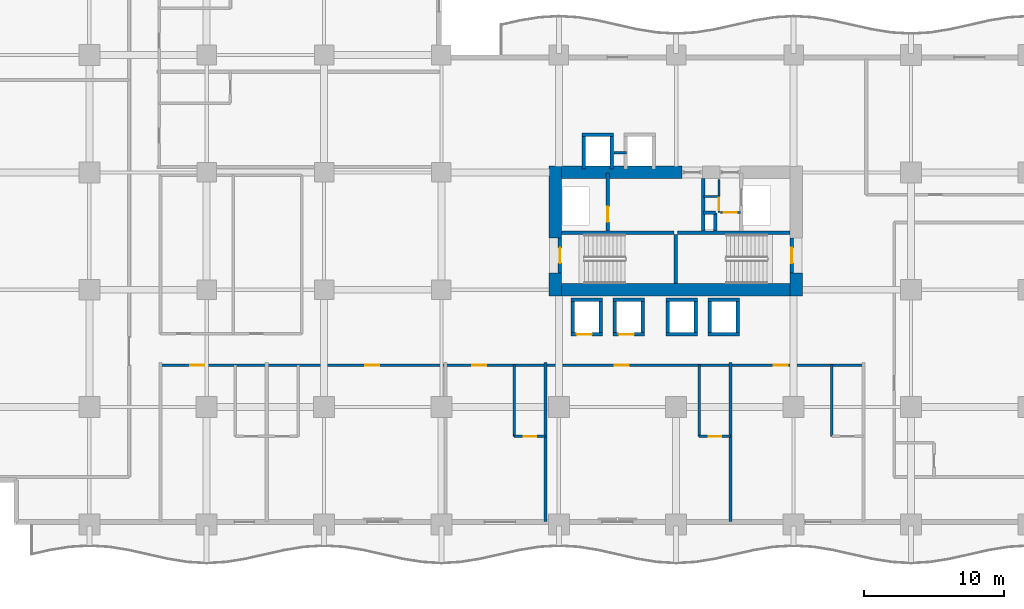
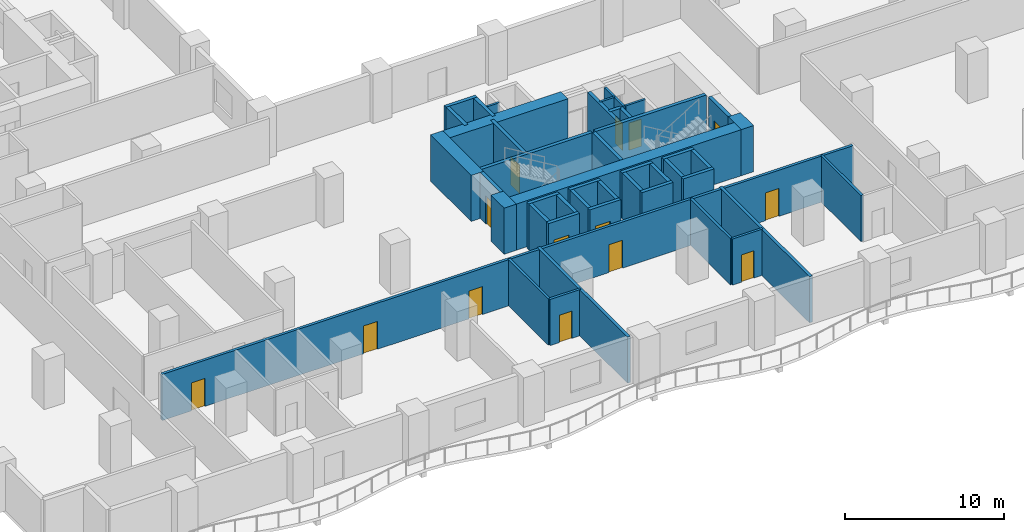
# One storey, part 9 of 22: 45 walls, 14 doors, 14 openings.
"""IFC4 building model written with IfcOpenShell, lengths in metres."""

from ifc_helpers import new_model, si_unit, direction, frame, frame_2d, origin, place, context, subcontext, project, spatial, rectangle, extrude, material, layer, layer_set, type_object, element, fill, save


model = new_model("IFC4")

# Units and contexts
model_context = context("Model", 3, precision=1e-05, world=origin(), true_north=direction((0.0, 1.0)))
body_context = subcontext(model_context, "Body", "Model", "MODEL_VIEW")
ifc_project = project(units=[si_unit("LENGTHUNIT", "METRE"), si_unit("AREAUNIT", "SQUARE_METRE"), si_unit("VOLUMEUNIT", "CUBIC_METRE"), si_unit("PLANEANGLEUNIT", "RADIAN"), si_unit("MASSUNIT", "GRAM", prefix="KILO")], contexts=[model_context])

# Site, building, storey
site_placement = place(None, origin())
site = spatial("IfcSite", under=ifc_project, at=site_placement, CompositionType="ELEMENT")
building_placement = place(site_placement, origin())
building = spatial("IfcBuilding", under=site, at=building_placement, Name="Koriwani Terraces Tower", CompositionType="ELEMENT")
storey_placement = place(building_placement, frame((0.0, 0.0, 62.39990234375)))
storey = spatial("IfcBuildingStorey", under=building, at=storey_placement, Name="L14", CompositionType="ELEMENT", Elevation=62.39990234375)

# Walls
ifc_material_1 = material(Name="Concrete C60/75", Category="concrete")
ifc_layer_1 = layer(ifc_material_1, 0.89990234375, Name="Concrete C60/75")
ifc_layer_set_1 = layer_set([ifc_layer_1], Name="Concrete C60/75")
wall_type_1 = type_object("IfcWallType", Name="WALL_CORE_RC_900", PredefinedType="SHEAR", material=ifc_layer_set_1)
wall_1_placement = place(storey_placement, frame((41.75, 16.35009765625, 0.0), z_axis=(0.0, 0.0, 1.0), x_axis=(0.0, 1.0, 0.0)))
element("IfcWall", 1, at=wall_1_placement, inside=storey, type_object=wall_type_1, Name="L14 East Split Core Shear Wall W1", PredefinedType="SHEAR", context=body_context, shape_type="SweptSolid", body=[
    extrude(rectangle(XDim=1.64990234375, YDim=0.89990234375, at=frame_2d((0.824951171875, 0.0))), origin(), (0.0, 0.0, 1.0), 3.550048828125),
])
wall_2_placement = place(storey_placement, frame((41.75, 20.5, 0.0), z_axis=(0.0, 0.0, 1.0), x_axis=(0.0, 1.0, 0.0)))
element("IfcWall", 2, at=wall_2_placement, inside=storey, type_object=wall_type_1, Name="L14 East Split Core Shear Wall W2", PredefinedType="SHEAR", context=body_context, shape_type="SweptSolid", body=[
    extrude(rectangle(XDim=5.14990234375, YDim=0.89990234375, at=frame_2d((2.574951171875, 0.0))), origin(), (0.0, 0.0, 1.0), 3.550048828125),
])
wall_3_placement = place(storey_placement, frame((59.0, 16.35009765625, 0.0), z_axis=(0.0, 0.0, 1.0), x_axis=(0.0, 1.0, 0.0)))
element("IfcWall", 3, at=wall_3_placement, inside=storey, type_object=wall_type_1, Name="L14 East Split Core Shear Wall E1", PredefinedType="SHEAR", context=body_context, shape_type="SweptSolid", body=[
    extrude(rectangle(XDim=1.64990234375, YDim=0.89990234375, at=frame_2d((0.824951171875, 0.0))), origin(), (0.0, 0.0, 1.0), 3.550048828125),
])
wall_4_placement = place(storey_placement, frame((42.199951171875, 16.800048828125, 0.0), z_axis=(0.0, 0.0, 1.0), x_axis=(1.0, 0.0, 0.0)))
element("IfcWall", 4, at=wall_4_placement, inside=storey, type_object=wall_type_1, Name="L14 East Split Core Shear Wall S1", PredefinedType="SHEAR", context=body_context, shape_type="SweptSolid", body=[
    extrude(rectangle(XDim=16.35009765625, YDim=0.89990234375, at=frame_2d((8.175048828125, 0.0))), origin(), (0.0, 0.0, 1.0), 3.550048828125),
])
wall_5_placement = place(storey_placement, frame((42.199951171875, 25.199951171875, 0.0), z_axis=(0.0, 0.0, 1.0), x_axis=(1.0, 0.0, 0.0)))
element("IfcWall", 5, at=wall_5_placement, inside=storey, type_object=wall_type_1, Name="L14 East Split Core Shear Wall N1", PredefinedType="SHEAR", context=body_context, shape_type="SweptSolid", body=[
    extrude(rectangle(XDim=8.60009765625, YDim=0.89990234375, at=frame_2d((4.300048828125, 0.0))), origin(), (0.0, 0.0, 1.0), 3.550048828125),
])

# Wall, openings, doors
ifc_material_2 = material(Name="Autoclaved Cellular Concrete Blockwork", Category="masonry")
ifc_layer_2 = layer(ifc_material_2, 0.199951171875, Name="Autoclaved Cellular Concrete Blockwork")
ifc_layer_set_2 = layer_set([ifc_layer_2], Name="Autoclaved Cellular Concrete Blockwork")
wall_type_2 = type_object("IfcWallType", Name="WALL_CORRIDOR_200", PredefinedType="PARTITIONING", material=ifc_layer_set_2)
wall_6_placement = place(storey_placement, frame((13.5, 11.39990234375, 0.0), z_axis=(0.0, 0.0, 1.0), x_axis=(1.0, 0.0, 0.0)))
wall_6 = element("IfcWall", 6, at=wall_6_placement, inside=storey, type_object=wall_type_2, Name="L14 Interior Wall WCOR-L14-SW-0", PredefinedType="PARTITIONING", context=body_context, shape_type="SweptSolid", body=[
    extrude(rectangle(XDim=50.300048828125, YDim=0.199951171875, at=frame_2d((25.14990234375, 0.0))), origin(), (0.0, 0.0, 1.0), 3.550048828125),
])
opening_1_placement = place(wall_6_placement, frame((2.135009765625, 0.0, 0.0)))
opening_1 = element("IfcOpeningElement", 7, at=opening_1_placement, cuts=wall_6, Name="Opening D-05", PredefinedType="OPENING", context=body_context, shape_type="SweptSolid", body=[
    extrude(rectangle(XDim=1.0, YDim=2.14990234375, at=frame_2d((0.5, 1.074951171875))), frame((0.0, 0.10986328125, 0.0), z_axis=(0.0, -1.0, 0.0), x_axis=(1.0, 0.0, 0.0)), (0.0, 0.0, 1.0), 0.219970703125),
])
opening_2_placement = place(wall_6_placement, frame((14.6650390625, 0.0, 0.0)))
opening_2 = element("IfcOpeningElement", 8, at=opening_2_placement, cuts=wall_6, Name="Opening D-05", PredefinedType="OPENING", context=body_context, shape_type="SweptSolid", body=[
    extrude(rectangle(XDim=1.0, YDim=2.14990234375, at=frame_2d((0.5, 1.074951171875))), frame((0.0, 0.10986328125, 0.0), z_axis=(0.0, -1.0, 0.0), x_axis=(1.0, 0.0, 0.0)), (0.0, 0.0, 1.0), 0.219970703125),
])
opening_3_placement = place(wall_6_placement, frame((22.31005859375, 0.0, 0.0)))
opening_3 = element("IfcOpeningElement", 9, at=opening_3_placement, cuts=wall_6, Name="Opening D-05", PredefinedType="OPENING", context=body_context, shape_type="SweptSolid", body=[
    extrude(rectangle(XDim=1.0, YDim=2.14990234375, at=frame_2d((0.5, 1.074951171875))), frame((0.0, 0.10986328125, 0.0), z_axis=(0.0, -1.0, 0.0), x_axis=(1.0, 0.0, 0.0)), (0.0, 0.0, 1.0), 0.219970703125),
])
opening_4_placement = place(wall_6_placement, frame((32.510009765625, 0.0, 0.0)))
opening_4 = element("IfcOpeningElement", 10, at=opening_4_placement, cuts=wall_6, Name="Opening D-05", PredefinedType="OPENING", context=body_context, shape_type="SweptSolid", body=[
    extrude(rectangle(XDim=1.0, YDim=2.14990234375, at=frame_2d((0.5, 1.074951171875))), frame((0.0, 0.10986328125, 0.0), z_axis=(0.0, -1.0, 0.0), x_axis=(1.0, 0.0, 0.0)), (0.0, 0.0, 1.0), 0.219970703125),
])
opening_5_placement = place(wall_6_placement, frame((43.885009765625, 0.0, 0.0)))
opening_5 = element("IfcOpeningElement", 11, at=opening_5_placement, cuts=wall_6, Name="Opening D-05", PredefinedType="OPENING", context=body_context, shape_type="SweptSolid", body=[
    extrude(rectangle(XDim=1.0, YDim=2.14990234375, at=frame_2d((0.5, 1.074951171875))), frame((0.0, 0.10986328125, 0.0), z_axis=(0.0, -1.0, 0.0), x_axis=(1.0, 0.0, 0.0)), (0.0, 0.0, 1.0), 0.219970703125),
])
ifc_material_3 = material(Name="Architectural Oak Fire Door", Category="wood")
door_type_1 = type_object("IfcDoorType", Name="DOOR_SUITE_ENTRY_1000X2150", OperationType="NOTDEFINED", PredefinedType="DOOR", material=ifc_material_3)
door_1_placement = place(opening_1_placement, origin())
door_1 = element("IfcDoor", 12, at=door_1_placement, inside=storey, type_object=door_type_1, Name="Luxury Hotel Suite 14SW1 Entrance Door", OperationType="SINGLE_SWING_RIGHT", OverallHeight=2.14990234375, OverallWidth=1.0, PredefinedType="DOOR", context=body_context, shape_type="SweptSolid", body=[
    extrude(rectangle(XDim=1.0, YDim=2.14990234375, at=frame_2d((0.5, 1.074951171875))), frame((0.0, 0.02490234375, 0.0), z_axis=(0.0, -1.0, 0.0), x_axis=(1.0, 0.0, 0.0)), (0.0, 0.0, 1.0), 0.050048828125),
])
fill(opening_1, door_1)
door_2_placement = place(opening_2_placement, origin())
door_2 = element("IfcDoor", 13, at=door_2_placement, inside=storey, type_object=door_type_1, Name="Luxury Hotel Suite 14SW2 Entrance Door", OperationType="SINGLE_SWING_RIGHT", OverallHeight=2.14990234375, OverallWidth=1.0, PredefinedType="DOOR", context=body_context, shape_type="SweptSolid", body=[
    extrude(rectangle(XDim=1.0, YDim=2.14990234375, at=frame_2d((0.5, 1.074951171875))), frame((0.0, 0.02490234375, 0.0), z_axis=(0.0, -1.0, 0.0), x_axis=(1.0, 0.0, 0.0)), (0.0, 0.0, 1.0), 0.050048828125),
])
fill(opening_2, door_2)
door_3_placement = place(opening_3_placement, origin())
door_3 = element("IfcDoor", 14, at=door_3_placement, inside=storey, type_object=door_type_1, Name="Luxury Hotel Suite 14SW3 Entrance Door", OperationType="SINGLE_SWING_RIGHT", OverallHeight=2.14990234375, OverallWidth=1.0, PredefinedType="DOOR", context=body_context, shape_type="SweptSolid", body=[
    extrude(rectangle(XDim=1.0, YDim=2.14990234375, at=frame_2d((0.5, 1.074951171875))), frame((0.0, 0.02490234375, 0.0), z_axis=(0.0, -1.0, 0.0), x_axis=(1.0, 0.0, 0.0)), (0.0, 0.0, 1.0), 0.050048828125),
])
fill(opening_3, door_3)
door_4_placement = place(opening_4_placement, origin())
door_4 = element("IfcDoor", 15, at=door_4_placement, inside=storey, type_object=door_type_1, Name="Luxury Hotel Suite 14SW4 Entrance Door", OperationType="SINGLE_SWING_RIGHT", OverallHeight=2.14990234375, OverallWidth=1.0, PredefinedType="DOOR", context=body_context, shape_type="SweptSolid", body=[
    extrude(rectangle(XDim=1.0, YDim=2.14990234375, at=frame_2d((0.5, 1.074951171875))), frame((0.0, 0.02490234375, 0.0), z_axis=(0.0, -1.0, 0.0), x_axis=(1.0, 0.0, 0.0)), (0.0, 0.0, 1.0), 0.050048828125),
])
fill(opening_4, door_4)
door_5_placement = place(opening_5_placement, origin())
door_5 = element("IfcDoor", 16, at=door_5_placement, inside=storey, type_object=door_type_1, Name="Luxury Hotel Suite 14SW5 Entrance Door", OperationType="SINGLE_SWING_RIGHT", OverallHeight=2.14990234375, OverallWidth=1.0, PredefinedType="DOOR", context=body_context, shape_type="SweptSolid", body=[
    extrude(rectangle(XDim=1.0, YDim=2.14990234375, at=frame_2d((0.5, 1.074951171875))), frame((0.0, 0.02490234375, 0.0), z_axis=(0.0, -1.0, 0.0), x_axis=(1.0, 0.0, 0.0)), (0.0, 0.0, 1.0), 0.050048828125),
])
fill(opening_5, door_5)

# Walls
ifc_layer_3 = layer(ifc_material_2, 0.219970703125, Name="Autoclaved Cellular Concrete Blockwork")
ifc_layer_set_3 = layer_set([ifc_layer_3], Name="Autoclaved Cellular Concrete Blockwork")
wall_type_3 = type_object("IfcWallType", Name="WALL_DEMISING_220", PredefinedType="PARTITIONING", material=ifc_layer_set_3)
for number, where, z_axis, x_axis, name in (
    (17, (41.050048828125, 0.199951171875, 0.0), (0.0, 0.0, 1.0), (0.0, 1.0, 0.0), "L14 Interior Wall WDEM-L14-SW-3"),
    (18, (54.300048828125, 0.199951171875, 0.0), (0.0, 0.0, 1.0), (0.0, 1.0, 0.0), "L14 Interior Wall WDEM-L14-SW-4"),
):
    element("IfcWall", number, at=place(storey_placement, frame(where, z_axis=z_axis, x_axis=x_axis)), inside=storey, type_object=wall_type_3, Name=name, PredefinedType="PARTITIONING", context=body_context, shape_type="SweptSolid", body=[
        extrude(rectangle(XDim=11.380126953125, YDim=0.219970703125, at=frame_2d((5.68994140625, 0.0))), origin(), (0.0, 0.0, 1.0), 3.550048828125),
    ])

# Wall, opening, door
ifc_material_4 = material(Name="Fire-Rated Acoustic Gypsum Partition", Category="masonry")
ifc_layer_4 = layer(ifc_material_4, 0.179931640625, Name="Fire-Rated Acoustic Gypsum Partition")
ifc_layer_set_4 = layer_set([ifc_layer_4], Name="Fire-Rated Acoustic Gypsum Partition")
wall_type_4 = type_object("IfcWallType", Name="WALL_PLUMBING_180", PredefinedType="PLUMBINGWALL", material=ifc_layer_set_4)
wall_7_placement = place(storey_placement, frame((38.800048828125, 6.300048828125, 0.0), z_axis=(0.0, 0.0, 1.0), x_axis=(1.0, 0.0, 0.0)))
wall_7 = element("IfcWall", 19, at=wall_7_placement, inside=storey, type_object=wall_type_4, Name="L14 Interior Wall WBTH1-L14-SW-2", PredefinedType="PLUMBINGWALL", context=body_context, shape_type="SweptSolid", body=[
    extrude(rectangle(XDim=2.25, YDim=0.179931640625, at=frame_2d((1.125, 0.0))), origin(), (0.0, 0.0, 1.0), 3.550048828125),
])
opening_6_placement = place(wall_7_placement, frame((0.675048828125, 0.0, 0.0)))
opening_6 = element("IfcOpeningElement", 20, at=opening_6_placement, cuts=wall_7, Name="Opening D-07", PredefinedType="OPENING", context=body_context, shape_type="SweptSolid", body=[
    extrude(rectangle(XDim=0.89990234375, YDim=2.10009765625, at=frame_2d((0.449951171875, 1.050048828125))), frame((0.0, 0.10009765625, 0.0), z_axis=(0.0, -1.0, 0.0), x_axis=(1.0, 0.0, 0.0)), (0.0, 0.0, 1.0), 0.199951171875),
])
door_type_2 = type_object("IfcDoorType", Name="DOOR_BATH_INT_900X2100", OperationType="NOTDEFINED", PredefinedType="DOOR", material=ifc_material_3)
door_6_placement = place(opening_6_placement, origin())
door_6 = element("IfcDoor", 21, at=door_6_placement, inside=storey, type_object=door_type_2, Name="En-Suite Bathroom 14SW3 Door", OperationType="SINGLE_SWING_LEFT", OverallHeight=2.10009765625, OverallWidth=0.89990234375, PredefinedType="DOOR", context=body_context, shape_type="SweptSolid", body=[
    extrude(rectangle(XDim=0.89990234375, YDim=2.10009765625, at=frame_2d((0.449951171875, 1.050048828125))), frame((0.0, 0.02490234375, 0.0), z_axis=(0.0, -1.0, 0.0), x_axis=(1.0, 0.0, 0.0)), (0.0, 0.0, 1.0), 0.050048828125),
])
fill(opening_6, door_6)

# Wall
wall_8_placement = place(storey_placement, frame((38.800048828125, 6.300048828125, 0.0), z_axis=(0.0, 0.0, 1.0), x_axis=(0.0, 1.0, 0.0)))
element("IfcWall", 22, at=wall_8_placement, inside=storey, type_object=wall_type_4, Name="L14 Interior Wall WBTH2-L14-SW-2", PredefinedType="PLUMBINGWALL", context=body_context, shape_type="SweptSolid", body=[
    extrude(rectangle(XDim=5.099853515625, YDim=0.179931640625, at=frame_2d((2.5498046875, 0.0))), origin(), (0.0, 0.0, 1.0), 3.550048828125),
])

# Wall, opening, door
wall_9_placement = place(storey_placement, frame((52.050048828125, 6.300048828125, 0.0), z_axis=(0.0, 0.0, 1.0), x_axis=(1.0, 0.0, 0.0)))
wall_9 = element("IfcWall", 23, at=wall_9_placement, inside=storey, type_object=wall_type_4, Name="L14 Interior Wall WBTH1-L14-SW-3", PredefinedType="PLUMBINGWALL", context=body_context, shape_type="SweptSolid", body=[
    extrude(rectangle(XDim=2.25, YDim=0.179931640625, at=frame_2d((1.125, 0.0))), origin(), (0.0, 0.0, 1.0), 3.550048828125),
])
opening_7_placement = place(wall_9_placement, frame((0.675048828125, 0.0, 0.0)))
opening_7 = element("IfcOpeningElement", 24, at=opening_7_placement, cuts=wall_9, Name="Opening D-07", PredefinedType="OPENING", context=body_context, shape_type="SweptSolid", body=[
    extrude(rectangle(XDim=0.89990234375, YDim=2.10009765625, at=frame_2d((0.449951171875, 1.050048828125))), frame((0.0, 0.10009765625, 0.0), z_axis=(0.0, -1.0, 0.0), x_axis=(1.0, 0.0, 0.0)), (0.0, 0.0, 1.0), 0.199951171875),
])
door_7_placement = place(opening_7_placement, origin())
door_7 = element("IfcDoor", 25, at=door_7_placement, inside=storey, type_object=door_type_2, Name="En-Suite Bathroom 14SW4 Door", OperationType="SINGLE_SWING_LEFT", OverallHeight=2.10009765625, OverallWidth=0.89990234375, PredefinedType="DOOR", context=body_context, shape_type="SweptSolid", body=[
    extrude(rectangle(XDim=0.89990234375, YDim=2.10009765625, at=frame_2d((0.449951171875, 1.050048828125))), frame((0.0, 0.02490234375, 0.0), z_axis=(0.0, -1.0, 0.0), x_axis=(1.0, 0.0, 0.0)), (0.0, 0.0, 1.0), 0.050048828125),
])
fill(opening_7, door_7)

# Walls
for number, where, z_axis, x_axis, name in (
    (26, (52.050048828125, 6.300048828125, 0.0), (0.0, 0.0, 1.0), (0.0, 1.0, 0.0), "L14 Interior Wall WBTH2-L14-SW-3"),
    (27, (61.550048828125, 6.300048828125, 0.0), (0.0, 0.0, 1.0), (0.0, 1.0, 0.0), "L14 Interior Wall WBTH2-L14-SW-4"),
):
    element("IfcWall", number, at=place(storey_placement, frame(where, z_axis=z_axis, x_axis=x_axis)), inside=storey, type_object=wall_type_4, Name=name, PredefinedType="PLUMBINGWALL", context=body_context, shape_type="SweptSolid", body=[
        extrude(rectangle(XDim=5.099853515625, YDim=0.179931640625, at=frame_2d((2.5498046875, 0.0))), origin(), (0.0, 0.0, 1.0), 3.550048828125),
    ])
ifc_material_5 = material(Name="Concrete C40/50", Category="concrete")
ifc_layer_5 = layer(ifc_material_5, 0.25, Name="Concrete C40/50")
ifc_layer_set_5 = layer_set([ifc_layer_5], Name="Concrete C40/50")
wall_type_5 = type_object("IfcWallType", Name="WALL_SHAFT_RATED_250", PredefinedType="SOLIDWALL", material=ifc_layer_set_5)
for number, where, z_axis, x_axis, name in (
    (28, (42.199951171875, 20.875, 0.0), (0.0, 0.0, 1.0), (1.0, 0.0, 0.0), "L14 East Split Core Web Wall MID1"),
    (29, (50.5, 20.875, 0.0), (0.0, 0.0, 1.0), (1.0, 0.0, 0.0), "L14 East Split Core Web Wall MID2"),
):
    element("IfcWall", number, at=place(storey_placement, frame(where, z_axis=z_axis, x_axis=x_axis)), inside=storey, type_object=wall_type_5, Name=name, PredefinedType="SOLIDWALL", context=body_context, shape_type="SweptSolid", body=[
        extrude(rectangle(XDim=8.050048828125, YDim=0.25, at=frame_2d((4.02490234375, 0.0))), origin(), (0.0, 0.0, 1.0), 3.550048828125),
    ])
wall_10_placement = place(storey_placement, frame((50.375, 17.25, 0.0), z_axis=(0.0, 0.0, 1.0), x_axis=(0.0, 1.0, 0.0)))
element("IfcWall", 30, at=wall_10_placement, inside=storey, type_object=wall_type_5, Name="L14 East Split Core Stair Dividing Wall", PredefinedType="SOLIDWALL", context=body_context, shape_type="SweptSolid", body=[
    extrude(rectangle(XDim=3.5, YDim=0.25, at=frame_2d((1.75, 0.0))), origin(), (0.0, 0.0, 1.0), 3.550048828125),
])

# Wall, opening, door
wall_11_placement = place(storey_placement, frame((42.074951171875, 18.0, 0.0), z_axis=(0.0, 0.0, 1.0), x_axis=(0.0, 1.0, 0.0)))
wall_11 = element("IfcWall", 31, at=wall_11_placement, inside=storey, type_object=wall_type_5, Name="L14 Interior Wall WIN-CE-L14-STW", PredefinedType="SOLIDWALL", context=body_context, shape_type="SweptSolid", body=[
    extrude(rectangle(XDim=2.5, YDim=0.25, at=frame_2d((1.25, 0.0))), origin(), (0.0, 0.0, 1.0), 3.550048828125),
])
opening_8_placement = place(wall_11_placement, frame((0.699951171875, 0.0, 0.0)))
opening_8 = element("IfcOpeningElement", 32, at=opening_8_placement, cuts=wall_11, Name="Opening D-03", PredefinedType="OPENING", context=body_context, shape_type="SweptSolid", body=[
    extrude(rectangle(XDim=1.10009765625, YDim=2.14990234375, at=frame_2d((0.550048828125, 1.074951171875))), frame((0.0, 0.135009765625, 0.0), z_axis=(0.0, -1.0, 0.0), x_axis=(1.0, 0.0, 0.0)), (0.0, 0.0, 1.0), 0.27001953125),
])
ifc_material_6 = material(Name="Steel ASTM A572 Grade 50", Category="steel")
door_type_3 = type_object("IfcDoorType", Name="DOOR_STAIR_FIRE_1100X2150", OperationType="NOTDEFINED", PredefinedType="DOOR", material=ifc_material_6)
door_8_placement = place(opening_8_placement, origin())
door_8 = element("IfcDoor", 33, at=door_8_placement, inside=storey, type_object=door_type_3, Name="L14 Exit Stair ST-E1 Door", OperationType="SINGLE_SWING_LEFT", OverallHeight=2.14990234375, OverallWidth=1.10009765625, PredefinedType="DOOR", context=body_context, shape_type="SweptSolid", body=[
    extrude(rectangle(XDim=1.10009765625, YDim=2.14990234375, at=frame_2d((0.550048828125, 1.074951171875))), frame((0.0, 0.02490234375, 0.0), z_axis=(0.0, -1.0, 0.0), x_axis=(1.0, 0.0, 0.0)), (0.0, 0.0, 1.0), 0.050048828125),
])
fill(opening_8, door_8)

wall_12_placement = place(storey_placement, frame((58.675048828125, 18.0, 0.0), z_axis=(0.0, 0.0, 1.0), x_axis=(0.0, 1.0, 0.0)))
wall_12 = element("IfcWall", 34, at=wall_12_placement, inside=storey, type_object=wall_type_5, Name="L14 Interior Wall WIN-CE-L14-STE", PredefinedType="SOLIDWALL", context=body_context, shape_type="SweptSolid", body=[
    extrude(rectangle(XDim=2.5, YDim=0.25, at=frame_2d((1.25, 0.0))), origin(), (0.0, 0.0, 1.0), 3.550048828125),
])
opening_9_placement = place(wall_12_placement, frame((0.699951171875, 0.0, 0.0)))
opening_9 = element("IfcOpeningElement", 35, at=opening_9_placement, cuts=wall_12, Name="Opening D-03", PredefinedType="OPENING", context=body_context, shape_type="SweptSolid", body=[
    extrude(rectangle(XDim=1.10009765625, YDim=2.14990234375, at=frame_2d((0.550048828125, 1.074951171875))), frame((0.0, 0.135009765625, 0.0), z_axis=(0.0, -1.0, 0.0), x_axis=(1.0, 0.0, 0.0)), (0.0, 0.0, 1.0), 0.27001953125),
])
door_9_placement = place(opening_9_placement, origin())
door_9 = element("IfcDoor", 36, at=door_9_placement, inside=storey, type_object=door_type_3, Name="L14 Exit Stair ST-E2 Door", OperationType="SINGLE_SWING_RIGHT", OverallHeight=2.14990234375, OverallWidth=1.10009765625, PredefinedType="DOOR", context=body_context, shape_type="SweptSolid", body=[
    extrude(rectangle(XDim=1.10009765625, YDim=2.14990234375, at=frame_2d((0.550048828125, 1.074951171875))), frame((0.0, 0.02490234375, 0.0), z_axis=(0.0, -1.0, 0.0), x_axis=(1.0, 0.0, 0.0)), (0.0, 0.0, 1.0), 0.050048828125),
])
fill(opening_9, door_9)

wall_13_placement = place(storey_placement, frame((45.5, 21.0, 0.0), z_axis=(0.0, 0.0, 1.0), x_axis=(0.0, 1.0, 0.0)))
wall_13 = element("IfcWall", 37, at=wall_13_placement, inside=storey, type_object=wall_type_5, Name="L14 Interior Wall WIN-CE-L14-FE", PredefinedType="SOLIDWALL", context=body_context, shape_type="SweptSolid", body=[
    extrude(rectangle(XDim=4.14990234375, YDim=0.25, at=frame_2d((2.074951171875, 0.0))), origin(), (0.0, 0.0, 1.0), 3.550048828125),
])
opening_10_placement = place(wall_13_placement, frame((0.64990234375, 0.0, 0.0)))
opening_10 = element("IfcOpeningElement", 38, at=opening_10_placement, cuts=wall_13, Name="Opening LD-01", PredefinedType="OPENING", context=body_context, shape_type="SweptSolid", body=[
    extrude(rectangle(XDim=1.10009765625, YDim=2.14990234375, at=frame_2d((0.550048828125, 1.074951171875))), frame((0.0, 0.135009765625, 0.0), z_axis=(0.0, -1.0, 0.0), x_axis=(1.0, 0.0, 0.0)), (0.0, 0.0, 1.0), 0.27001953125),
])
door_type_4 = type_object("IfcDoorType", Name="DOOR_LIFT_LANDING_1100X2200", OperationType="NOTDEFINED", PredefinedType="DOOR", material=ifc_material_6)
door_10_placement = place(opening_10_placement, origin())
door_10 = element("IfcDoor", 39, at=door_10_placement, inside=storey, type_object=door_type_4, Name="L14 Firefighting Lift FE-02 Landing Door", OperationType="SLIDING_TO_LEFT", OverallHeight=2.14990234375, OverallWidth=1.10009765625, PredefinedType="DOOR", context=body_context, shape_type="SweptSolid", body=[
    extrude(rectangle(XDim=1.10009765625, YDim=2.14990234375, at=frame_2d((0.550048828125, 1.074951171875))), frame((0.0, 0.02490234375, 0.0), z_axis=(0.0, -1.0, 0.0), x_axis=(1.0, 0.0, 0.0)), (0.0, 0.0, 1.0), 0.050048828125),
])
fill(opening_10, door_10)

# Walls
wall_14_placement = place(storey_placement, frame((52.340087890625, 21.0, 0.0), z_axis=(0.0, 0.0, 1.0), x_axis=(0.0, 1.0, 0.0)))
element("IfcWall", 40, at=wall_14_placement, inside=storey, type_object=wall_type_5, Name="L14 Interior Wall WIN-CE-L14-FFE", PredefinedType="SOLIDWALL", context=body_context, shape_type="SweptSolid", body=[
    extrude(rectangle(XDim=3.75, YDim=0.25, at=frame_2d((1.875, 0.0))), origin(), (0.0, 0.0, 1.0), 3.550048828125),
])
wall_15_placement = place(storey_placement, frame((53.199951171875, 21.0, 0.0), z_axis=(0.0, 0.0, 1.0), x_axis=(0.0, 1.0, 0.0)))
element("IfcWall", 41, at=wall_15_placement, inside=storey, type_object=wall_type_5, Name="L14 Interior Wall WIN-CE-L14-RS1", PredefinedType="SOLIDWALL", context=body_context, shape_type="SweptSolid", body=[
    extrude(rectangle(XDim=1.300048828125, YDim=0.25, at=frame_2d((0.64990234375, 0.0))), origin(), (0.0, 0.0, 1.0), 3.550048828125),
])
wall_16_placement = place(storey_placement, frame((52.360107421875, 22.300048828125, 0.0), z_axis=(0.0, 0.0, 1.0), x_axis=(1.0, 0.0, 0.0)))
element("IfcWall", 42, at=wall_16_placement, inside=storey, type_object=wall_type_5, Name="L14 Interior Wall WIN-CE-L14-RS2", PredefinedType="SOLIDWALL", context=body_context, shape_type="SweptSolid", body=[
    extrude(rectangle(XDim=0.83984375, YDim=0.25, at=frame_2d((0.419921875, 0.0))), origin(), (0.0, 0.0, 1.0), 3.550048828125),
])

# Wall, opening, door
wall_17_placement = place(storey_placement, frame((42.875, 13.60009765625, 0.0), z_axis=(0.0, 0.0, 1.0), x_axis=(1.0, 0.0, 0.0)))
wall_17 = element("IfcWall", 43, at=wall_17_placement, inside=storey, type_object=wall_type_5, Name="L14 Interior Wall WIN-LF-PE-L3-L14-F", PredefinedType="SOLIDWALL", context=body_context, shape_type="SweptSolid", body=[
    extrude(rectangle(XDim=2.25, YDim=0.25, at=frame_2d((1.125, 0.0))), origin(), (0.0, 0.0, 1.0), 3.550048828125),
])
opening_11_placement = place(wall_17_placement, frame((0.39990234375, 0.0, 0.0)))
opening_11 = element("IfcOpeningElement", 44, at=opening_11_placement, cuts=wall_17, Name="Opening LD-01", PredefinedType="OPENING", context=body_context, shape_type="SweptSolid", body=[
    extrude(rectangle(XDim=1.10009765625, YDim=2.14990234375, at=frame_2d((0.550048828125, 1.074951171875))), frame((0.0, 0.135009765625, 0.0), z_axis=(0.0, -1.0, 0.0), x_axis=(1.0, 0.0, 0.0)), (0.0, 0.0, 1.0), 0.27001953125),
])
door_11_placement = place(opening_11_placement, origin())
door_11 = element("IfcDoor", 45, at=door_11_placement, inside=storey, type_object=door_type_4, Name="L14 Passenger Lift PE-L3 Landing Door", OperationType="SLIDING_TO_LEFT", OverallHeight=2.14990234375, OverallWidth=1.10009765625, PredefinedType="DOOR", context=body_context, shape_type="SweptSolid", body=[
    extrude(rectangle(XDim=1.10009765625, YDim=2.14990234375, at=frame_2d((0.550048828125, 1.074951171875))), frame((0.0, 0.02490234375, 0.0), z_axis=(0.0, -1.0, 0.0), x_axis=(1.0, 0.0, 0.0)), (0.0, 0.0, 1.0), 0.050048828125),
])
fill(opening_11, door_11)

# Walls
for number, where, z_axis, x_axis, name in (
    (46, (42.875, 16.10009765625, 0.0), (0.0, 0.0, 1.0), (1.0, 0.0, 0.0), "L14 Interior Wall WIN-LF-PE-L3-L14-B"),
    (47, (43.0, 13.72509765625, 0.0), (0.0, 0.0, 1.0), (0.0, 1.0, 0.0), "L14 Interior Wall WIN-LF-PE-L3-L14-W"),
    (48, (45.0, 13.72509765625, 0.0), (0.0, 0.0, 1.0), (0.0, 1.0, 0.0), "L14 Interior Wall WIN-LF-PE-L3-L14-E"),
):
    element("IfcWall", number, at=place(storey_placement, frame(where, z_axis=z_axis, x_axis=x_axis)), inside=storey, type_object=wall_type_5, Name=name, PredefinedType="SOLIDWALL", context=body_context, shape_type="SweptSolid", body=[
        extrude(rectangle(XDim=2.25, YDim=0.25, at=frame_2d((1.125, 0.0))), origin(), (0.0, 0.0, 1.0), 3.550048828125),
    ])

# Wall, opening, door
wall_18_placement = place(storey_placement, frame((45.875, 13.60009765625, 0.0), z_axis=(0.0, 0.0, 1.0), x_axis=(1.0, 0.0, 0.0)))
wall_18 = element("IfcWall", 49, at=wall_18_placement, inside=storey, type_object=wall_type_5, Name="L14 Interior Wall WIN-LF-PE-L4-L14-F", PredefinedType="SOLIDWALL", context=body_context, shape_type="SweptSolid", body=[
    extrude(rectangle(XDim=2.25, YDim=0.25, at=frame_2d((1.125, 0.0))), origin(), (0.0, 0.0, 1.0), 3.550048828125),
])
opening_12_placement = place(wall_18_placement, frame((0.39990234375, 0.0, 0.0)))
opening_12 = element("IfcOpeningElement", 50, at=opening_12_placement, cuts=wall_18, Name="Opening LD-01", PredefinedType="OPENING", context=body_context, shape_type="SweptSolid", body=[
    extrude(rectangle(XDim=1.10009765625, YDim=2.14990234375, at=frame_2d((0.550048828125, 1.074951171875))), frame((0.0, 0.135009765625, 0.0), z_axis=(0.0, -1.0, 0.0), x_axis=(1.0, 0.0, 0.0)), (0.0, 0.0, 1.0), 0.27001953125),
])
door_12_placement = place(opening_12_placement, origin())
door_12 = element("IfcDoor", 51, at=door_12_placement, inside=storey, type_object=door_type_4, Name="L14 Passenger Lift PE-L4 Landing Door", OperationType="SLIDING_TO_LEFT", OverallHeight=2.14990234375, OverallWidth=1.10009765625, PredefinedType="DOOR", context=body_context, shape_type="SweptSolid", body=[
    extrude(rectangle(XDim=1.10009765625, YDim=2.14990234375, at=frame_2d((0.550048828125, 1.074951171875))), frame((0.0, 0.02490234375, 0.0), z_axis=(0.0, -1.0, 0.0), x_axis=(1.0, 0.0, 0.0)), (0.0, 0.0, 1.0), 0.050048828125),
])
fill(opening_12, door_12)

# Walls
for number, where, z_axis, x_axis, name in (
    (52, (45.875, 16.10009765625, 0.0), (0.0, 0.0, 1.0), (1.0, 0.0, 0.0), "L14 Interior Wall WIN-LF-PE-L4-L14-B"),
    (53, (46.0, 13.72509765625, 0.0), (0.0, 0.0, 1.0), (0.0, 1.0, 0.0), "L14 Interior Wall WIN-LF-PE-L4-L14-W"),
    (54, (48.0, 13.72509765625, 0.0), (0.0, 0.0, 1.0), (0.0, 1.0, 0.0), "L14 Interior Wall WIN-LF-PE-L4-L14-E"),
    (55, (49.675048828125, 13.60009765625, 0.0), (0.0, 0.0, 1.0), (1.0, 0.0, 0.0), "L14 Interior Wall WIN-LF-PE-M3-L14-F"),
    (56, (49.675048828125, 16.10009765625, 0.0), (0.0, 0.0, 1.0), (1.0, 0.0, 0.0), "L14 Interior Wall WIN-LF-PE-M3-L14-B"),
    (57, (49.800048828125, 13.72509765625, 0.0), (0.0, 0.0, 1.0), (0.0, 1.0, 0.0), "L14 Interior Wall WIN-LF-PE-M3-L14-W"),
    (58, (51.800048828125, 13.72509765625, 0.0), (0.0, 0.0, 1.0), (0.0, 1.0, 0.0), "L14 Interior Wall WIN-LF-PE-M3-L14-E"),
    (59, (52.675048828125, 13.60009765625, 0.0), (0.0, 0.0, 1.0), (1.0, 0.0, 0.0), "L14 Interior Wall WIN-LF-PE-M4-L14-F"),
    (60, (52.675048828125, 16.10009765625, 0.0), (0.0, 0.0, 1.0), (1.0, 0.0, 0.0), "L14 Interior Wall WIN-LF-PE-M4-L14-B"),
    (61, (52.800048828125, 13.72509765625, 0.0), (0.0, 0.0, 1.0), (0.0, 1.0, 0.0), "L14 Interior Wall WIN-LF-PE-M4-L14-W"),
    (62, (54.800048828125, 13.72509765625, 0.0), (0.0, 0.0, 1.0), (0.0, 1.0, 0.0), "L14 Interior Wall WIN-LF-PE-M4-L14-E"),
    (63, (43.675048828125, 27.89990234375, 0.0), (0.0, 0.0, 1.0), (1.0, 0.0, 0.0), "L14 Interior Wall WIN-LF-PE-H3-L14-F"),
):
    element("IfcWall", number, at=place(storey_placement, frame(where, z_axis=z_axis, x_axis=x_axis)), inside=storey, type_object=wall_type_5, Name=name, PredefinedType="SOLIDWALL", context=body_context, shape_type="SweptSolid", body=[
        extrude(rectangle(XDim=2.25, YDim=0.25, at=frame_2d((1.125, 0.0))), origin(), (0.0, 0.0, 1.0), 3.550048828125),
    ])
for number, where, z_axis, x_axis, name in (
    (64, (43.800048828125, 25.449951171875, 0.0), (0.0, 0.0, 1.0), (0.0, 1.0, 0.0), "L14 Interior Wall WIN-LF-PE-H3-L14-W"),
    (65, (45.800048828125, 25.449951171875, 0.0), (0.0, 0.0, 1.0), (0.0, 1.0, 0.0), "L14 Interior Wall WIN-LF-PE-H3-L14-E"),
):
    element("IfcWall", number, at=place(storey_placement, frame(where, z_axis=z_axis, x_axis=x_axis)), inside=storey, type_object=wall_type_5, Name=name, PredefinedType="SOLIDWALL", context=body_context, shape_type="SweptSolid", body=[
        extrude(rectangle(XDim=2.324951171875, YDim=0.25, at=frame_2d((1.16259765625, 0.0))), origin(), (0.0, 0.0, 1.0), 3.550048828125),
    ])

# Wall, opening, door
ifc_layer_6 = layer(ifc_material_4, 0.159912109375, Name="Fire-Rated Acoustic Gypsum Partition")
ifc_layer_set_6 = layer_set([ifc_layer_6], Name="Fire-Rated Acoustic Gypsum Partition")
wall_type_6 = type_object("IfcWallType", Name="WALL_SUITE_160", PredefinedType="PARTITIONING", material=ifc_layer_set_6)
wall_19_placement = place(storey_placement, frame((53.56005859375, 22.320068359375, 0.0), z_axis=(0.0, 0.0, 1.0), x_axis=(1.0, 0.0, 0.0)))
wall_19 = element("IfcWall", 66, at=wall_19_placement, inside=storey, type_object=wall_type_6, Name="L14 Interior Wall WIN-CE-L14-SV2A", PredefinedType="PARTITIONING", context=body_context, shape_type="SweptSolid", body=[
    extrude(rectangle(XDim=1.43994140625, YDim=0.159912109375, at=frame_2d((0.719970703125, 0.0))), origin(), (0.0, 0.0, 1.0), 3.550048828125),
])
opening_13_placement = place(wall_19_placement, frame((0.260009765625, 0.0, 0.0)))
opening_13 = element("IfcOpeningElement", 67, at=opening_13_placement, cuts=wall_19, Name="Opening D-07", PredefinedType="OPENING", context=body_context, shape_type="SweptSolid", body=[
    extrude(rectangle(XDim=0.89990234375, YDim=2.10009765625, at=frame_2d((0.449951171875, 1.050048828125))), frame((0.0, 0.08984375, 0.0), z_axis=(0.0, -1.0, 0.0), x_axis=(1.0, 0.0, 0.0)), (0.0, 0.0, 1.0), 0.179931640625),
])
door_13_placement = place(opening_13_placement, origin())
door_13 = element("IfcDoor", 68, at=door_13_placement, inside=storey, type_object=door_type_2, Name="L14 East Meter Room Door", OperationType="SINGLE_SWING_LEFT", OverallHeight=2.10009765625, OverallWidth=0.89990234375, PredefinedType="DOOR", context=body_context, shape_type="SweptSolid", body=[
    extrude(rectangle(XDim=0.89990234375, YDim=2.10009765625, at=frame_2d((0.449951171875, 1.050048828125))), frame((0.0, 0.02490234375, 0.0), z_axis=(0.0, -1.0, 0.0), x_axis=(1.0, 0.0, 0.0)), (0.0, 0.0, 1.0), 0.050048828125),
])
fill(opening_13, door_13)

wall_20_placement = place(storey_placement, frame((53.4599609375, 22.320068359375, 0.0), z_axis=(0.0, 0.0, 1.0), x_axis=(0.0, 1.0, 0.0)))
wall_20 = element("IfcWall", 69, at=wall_20_placement, inside=storey, type_object=wall_type_6, Name="L14 Interior Wall WIN-CE-L14-SV2H", PredefinedType="PARTITIONING", context=body_context, shape_type="SweptSolid", body=[
    extrude(rectangle(XDim=2.35986328125, YDim=0.159912109375, at=frame_2d((1.179931640625, 0.0))), origin(), (0.0, 0.0, 1.0), 3.550048828125),
])
opening_14_placement = place(wall_20_placement, frame((0.159912109375, 0.0, 0.0)))
opening_14 = element("IfcOpeningElement", 70, at=opening_14_placement, cuts=wall_20, Name="Opening D-07", PredefinedType="OPENING", context=body_context, shape_type="SweptSolid", body=[
    extrude(rectangle(XDim=0.89990234375, YDim=2.10009765625, at=frame_2d((0.449951171875, 1.050048828125))), frame((0.0, 0.08984375, 0.0), z_axis=(0.0, -1.0, 0.0), x_axis=(1.0, 0.0, 0.0)), (0.0, 0.0, 1.0), 0.179931640625),
])
door_14_placement = place(opening_14_placement, origin())
door_14 = element("IfcDoor", 71, at=door_14_placement, inside=storey, type_object=door_type_2, Name="L14 East Valve Room Door", OperationType="SINGLE_SWING_RIGHT", OverallHeight=2.10009765625, OverallWidth=0.89990234375, PredefinedType="DOOR", context=body_context, shape_type="SweptSolid", body=[
    extrude(rectangle(XDim=0.89990234375, YDim=2.10009765625, at=frame_2d((0.449951171875, 1.050048828125))), frame((0.0, 0.02490234375, 0.0), z_axis=(0.0, -1.0, 0.0), x_axis=(1.0, 0.0, 0.0)), (0.0, 0.0, 1.0), 0.050048828125),
])
fill(opening_14, door_14)

# Walls
wall_21_placement = place(storey_placement, frame((52.360107421875, 23.47998046875, 0.0), z_axis=(0.0, 0.0, 1.0), x_axis=(1.0, 0.0, 0.0)))
element("IfcWall", 72, at=wall_21_placement, inside=storey, type_object=wall_type_6, Name="L14 Interior Wall WIN-CE-L14-SV2V", PredefinedType="PARTITIONING", context=body_context, shape_type="SweptSolid", body=[
    extrude(rectangle(XDim=1.099853515625, YDim=0.159912109375, at=frame_2d((0.5498046875, 0.0))), origin(), (0.0, 0.0, 1.0), 3.550048828125),
])
wall_22_placement = place(storey_placement, frame((45.9599609375, 26.60009765625, 0.0), z_axis=(0.0, 0.0, 1.0), x_axis=(1.0, 0.0, 0.0)))
element("IfcWall", 73, at=wall_22_placement, inside=storey, type_object=wall_type_6, Name="L14 Interior Wall WIN-LF-PEH34-MID-L14", PredefinedType="PARTITIONING", context=body_context, shape_type="SweptSolid", body=[
    extrude(rectangle(XDim=0.880126953125, YDim=0.159912109375, at=frame_2d((0.43994140625, 0.0))), origin(), (0.0, 0.0, 1.0), 3.550048828125),
])

save(model, "model.ifc")
